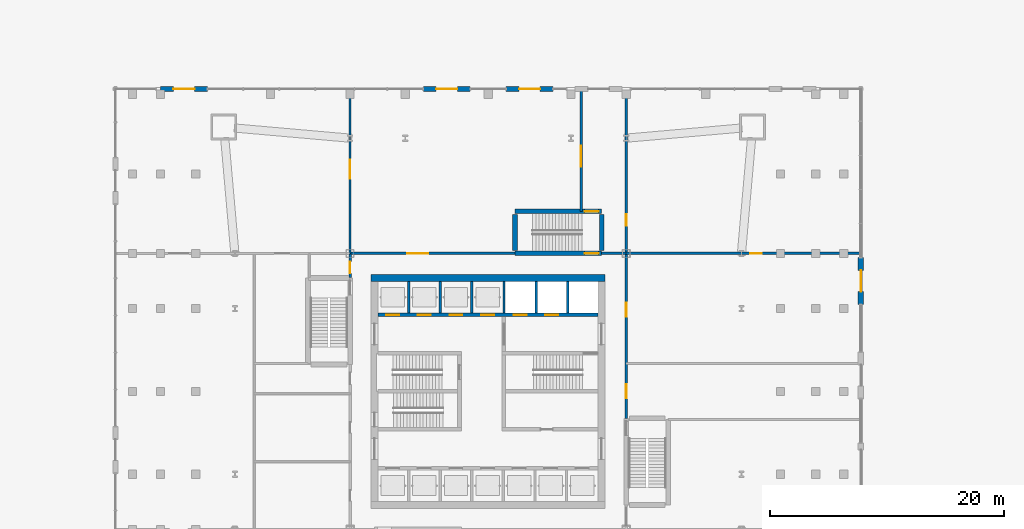
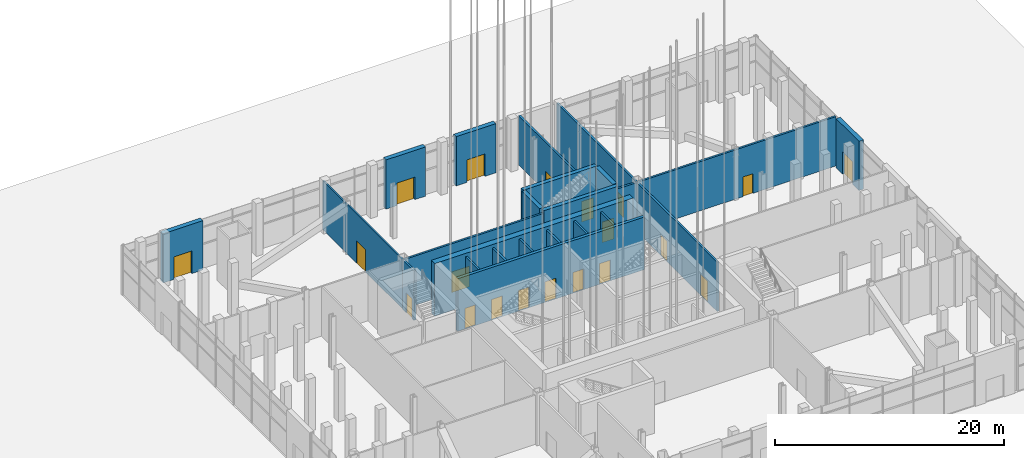
# One storey, part 14 of 27: 23 walls, 20 doors, 20 openings.
"""IFC4 building model written with IfcOpenShell, lengths in metres."""

from ifc_helpers import new_model, si_unit, direction, frame, frame_2d, origin, place, context, subcontext, project, spatial, rectangle, extrude, material, layer, layer_set, type_object, element, fill, save


model = new_model("IFC4")

# Units and contexts
model_context = context("Model", 3, precision=1e-05, world=origin(), true_north=direction((0.0, 1.0)))
body_context = subcontext(model_context, "Body", "Model", "MODEL_VIEW")
ifc_project = project(units=[si_unit("LENGTHUNIT", "METRE"), si_unit("AREAUNIT", "SQUARE_METRE"), si_unit("VOLUMEUNIT", "CUBIC_METRE"), si_unit("PLANEANGLEUNIT", "RADIAN"), si_unit("MASSUNIT", "GRAM", prefix="KILO")], contexts=[model_context])

# Site, building, storey
site_placement = place(None, origin())
site = spatial("IfcSite", under=ifc_project, at=site_placement, CompositionType="ELEMENT")
building_placement = place(site_placement, origin())
building = spatial("IfcBuilding", under=site, at=building_placement, Name="Turquesa Mirador Hotel Tower", CompositionType="ELEMENT")
storey_placement = place(building_placement, origin())
storey = spatial("IfcBuildingStorey", under=building, at=storey_placement, Name="L00", CompositionType="ELEMENT", Elevation=0.0)

# Wall, openings, doors
ifc_material_1 = material(Name="Concrete C50/60", Category="concrete")
ifc_layer_1 = layer(ifc_material_1, 0.300048828125)
ifc_layer_set_1 = layer_set([ifc_layer_1], Name="CORE INNER WALL 300")
wall_type_1 = type_object("IfcWallType", Name="CORE INNER WALL 300", PredefinedType="SHEAR", material=ifc_layer_set_1)
wall_1_placement = place(storey_placement, frame((45.60009765625, 51.550048828125, 0.0), z_axis=(0.0, 0.0, 1.0), x_axis=(1.0, 0.0, 0.0)))
wall_1 = element("IfcWall", 1, at=wall_1_placement, inside=storey, type_object=wall_type_1, Name="Core wall NL", PredefinedType="SHEAR", context=body_context, shape_type="SweptSolid", body=[
    extrude(rectangle(XDim=18.7998046875, YDim=0.300048828125, at=frame_2d((9.39990234375, 0.0))), origin(), (0.0, 0.0, 1.0), 5.60009765625),
])
opening_1_placement = place(wall_1_placement, frame((0.699951171875, 0.0, 0.0)))
opening_1 = element("IfcOpeningElement", 2, at=opening_1_placement, cuts=wall_1, Name="Opening LD", PredefinedType="OPENING", context=body_context, shape_type="SweptSolid", body=[
    extrude(rectangle(XDim=1.10009765625, YDim=2.199951171875, at=frame_2d((0.550048828125, 1.10009765625))), frame((0.0, 0.159912109375, 0.0), z_axis=(0.0, -1.0, 0.0), x_axis=(1.0, 0.0, 0.0)), (0.0, 0.0, 1.0), 0.320068359375),
])
opening_2_placement = place(wall_1_placement, frame((3.39990234375, 0.0, 0.0)))
opening_2 = element("IfcOpeningElement", 3, at=opening_2_placement, cuts=wall_1, Name="Opening LD", PredefinedType="OPENING", context=body_context, shape_type="SweptSolid", body=[
    extrude(rectangle(XDim=1.10009765625, YDim=2.199951171875, at=frame_2d((0.550048828125, 1.10009765625))), frame((0.0, 0.159912109375, 0.0), z_axis=(0.0, -1.0, 0.0), x_axis=(1.0, 0.0, 0.0)), (0.0, 0.0, 1.0), 0.320068359375),
])
opening_3_placement = place(wall_1_placement, frame((6.10009765625, 0.0, 0.0)))
opening_3 = element("IfcOpeningElement", 4, at=opening_3_placement, cuts=wall_1, Name="Opening LD", PredefinedType="OPENING", context=body_context, shape_type="SweptSolid", body=[
    extrude(rectangle(XDim=1.10009765625, YDim=2.199951171875, at=frame_2d((0.550048828125, 1.10009765625))), frame((0.0, 0.159912109375, 0.0), z_axis=(0.0, -1.0, 0.0), x_axis=(1.0, 0.0, 0.0)), (0.0, 0.0, 1.0), 0.320068359375),
])
opening_4_placement = place(wall_1_placement, frame((8.800048828125, 0.0, 0.0)))
opening_4 = element("IfcOpeningElement", 5, at=opening_4_placement, cuts=wall_1, Name="Opening LD", PredefinedType="OPENING", context=body_context, shape_type="SweptSolid", body=[
    extrude(rectangle(XDim=1.10009765625, YDim=2.199951171875, at=frame_2d((0.550048828125, 1.10009765625))), frame((0.0, 0.159912109375, 0.0), z_axis=(0.0, -1.0, 0.0), x_axis=(1.0, 0.0, 0.0)), (0.0, 0.0, 1.0), 0.320068359375),
])
opening_5_placement = place(wall_1_placement, frame((11.60009765625, 0.0, 0.0)))
opening_5 = element("IfcOpeningElement", 6, at=opening_5_placement, cuts=wall_1, Name="Opening LD", PredefinedType="OPENING", context=body_context, shape_type="SweptSolid", body=[
    extrude(rectangle(XDim=1.10009765625, YDim=2.199951171875, at=frame_2d((0.550048828125, 1.10009765625))), frame((0.0, 0.159912109375, 0.0), z_axis=(0.0, -1.0, 0.0), x_axis=(1.0, 0.0, 0.0)), (0.0, 0.0, 1.0), 0.320068359375),
])
opening_6_placement = place(wall_1_placement, frame((14.300048828125, 0.0, 0.0)))
opening_6 = element("IfcOpeningElement", 7, at=opening_6_placement, cuts=wall_1, Name="Opening LD", PredefinedType="OPENING", context=body_context, shape_type="SweptSolid", body=[
    extrude(rectangle(XDim=1.10009765625, YDim=2.199951171875, at=frame_2d((0.550048828125, 1.10009765625))), frame((0.0, 0.159912109375, 0.0), z_axis=(0.0, -1.0, 0.0), x_axis=(1.0, 0.0, 0.0)), (0.0, 0.0, 1.0), 0.320068359375),
])
ifc_material_2 = material(Name="Stainless steel lift landing door", Category="steel")
door_type_1 = type_object("IfcDoorType", Name="LIFT LANDING DOOR 1100X2200", OperationType="SLIDING_TO_LEFT", PredefinedType="DOOR", material=ifc_material_2)
door_1_placement = place(opening_1_placement, origin())
door_1 = element("IfcDoor", 8, at=door_1_placement, inside=storey, type_object=door_type_1, Name="Lift A1 landing door", OperationType="SLIDING_TO_LEFT", OverallHeight=2.199951171875, OverallWidth=1.10009765625, PredefinedType="DOOR", context=body_context, shape_type="SweptSolid", body=[
    extrude(rectangle(XDim=1.10009765625, YDim=2.199951171875, at=frame_2d((0.550048828125, 1.10009765625))), frame((0.0, 0.02490234375, 0.0), z_axis=(0.0, -1.0, 0.0), x_axis=(1.0, 0.0, 0.0)), (0.0, 0.0, 1.0), 0.050048828125),
])
fill(opening_1, door_1)
door_2_placement = place(opening_2_placement, origin())
door_2 = element("IfcDoor", 9, at=door_2_placement, inside=storey, type_object=door_type_1, Name="Lift A2 landing door", OperationType="SLIDING_TO_LEFT", OverallHeight=2.199951171875, OverallWidth=1.10009765625, PredefinedType="DOOR", context=body_context, shape_type="SweptSolid", body=[
    extrude(rectangle(XDim=1.10009765625, YDim=2.199951171875, at=frame_2d((0.550048828125, 1.10009765625))), frame((0.0, 0.02490234375, 0.0), z_axis=(0.0, -1.0, 0.0), x_axis=(1.0, 0.0, 0.0)), (0.0, 0.0, 1.0), 0.050048828125),
])
fill(opening_2, door_2)
door_3_placement = place(opening_3_placement, origin())
door_3 = element("IfcDoor", 10, at=door_3_placement, inside=storey, type_object=door_type_1, Name="Lift A3 landing door", OperationType="SLIDING_TO_LEFT", OverallHeight=2.199951171875, OverallWidth=1.10009765625, PredefinedType="DOOR", context=body_context, shape_type="SweptSolid", body=[
    extrude(rectangle(XDim=1.10009765625, YDim=2.199951171875, at=frame_2d((0.550048828125, 1.10009765625))), frame((0.0, 0.02490234375, 0.0), z_axis=(0.0, -1.0, 0.0), x_axis=(1.0, 0.0, 0.0)), (0.0, 0.0, 1.0), 0.050048828125),
])
fill(opening_3, door_3)
door_4_placement = place(opening_4_placement, origin())
door_4 = element("IfcDoor", 11, at=door_4_placement, inside=storey, type_object=door_type_1, Name="Lift A4 landing door", OperationType="SLIDING_TO_LEFT", OverallHeight=2.199951171875, OverallWidth=1.10009765625, PredefinedType="DOOR", context=body_context, shape_type="SweptSolid", body=[
    extrude(rectangle(XDim=1.10009765625, YDim=2.199951171875, at=frame_2d((0.550048828125, 1.10009765625))), frame((0.0, 0.02490234375, 0.0), z_axis=(0.0, -1.0, 0.0), x_axis=(1.0, 0.0, 0.0)), (0.0, 0.0, 1.0), 0.050048828125),
])
fill(opening_4, door_4)
door_5_placement = place(opening_5_placement, origin())
door_5 = element("IfcDoor", 12, at=door_5_placement, inside=storey, type_object=door_type_1, Name="Lift S1 landing door", OperationType="SLIDING_TO_LEFT", OverallHeight=2.199951171875, OverallWidth=1.10009765625, PredefinedType="DOOR", context=body_context, shape_type="SweptSolid", body=[
    extrude(rectangle(XDim=1.10009765625, YDim=2.199951171875, at=frame_2d((0.550048828125, 1.10009765625))), frame((0.0, 0.02490234375, 0.0), z_axis=(0.0, -1.0, 0.0), x_axis=(1.0, 0.0, 0.0)), (0.0, 0.0, 1.0), 0.050048828125),
])
fill(opening_5, door_5)
door_6_placement = place(opening_6_placement, origin())
door_6 = element("IfcDoor", 13, at=door_6_placement, inside=storey, type_object=door_type_1, Name="Lift S2 landing door", OperationType="SLIDING_TO_LEFT", OverallHeight=2.199951171875, OverallWidth=1.10009765625, PredefinedType="DOOR", context=body_context, shape_type="SweptSolid", body=[
    extrude(rectangle(XDim=1.10009765625, YDim=2.199951171875, at=frame_2d((0.550048828125, 1.10009765625))), frame((0.0, 0.02490234375, 0.0), z_axis=(0.0, -1.0, 0.0), x_axis=(1.0, 0.0, 0.0)), (0.0, 0.0, 1.0), 0.050048828125),
])
fill(opening_6, door_6)

# Wall
ifc_material_3 = material(Name="Concrete C50/60", Category="concrete")
ifc_layer_2 = layer(ifc_material_3, 0.60009765625)
ifc_layer_set_2 = layer_set([ifc_layer_2], Name="CORE WALL 600")
wall_type_2 = type_object("IfcWallType", Name="CORE WALL 600", PredefinedType="SHEAR", material=ifc_layer_set_2)
wall_2_placement = place(storey_placement, frame((45.0, 54.699951171875, 0.0), z_axis=(0.0, 0.0, 1.0), x_axis=(1.0, 0.0, 0.0)))
element("IfcWall", 14, at=wall_2_placement, inside=storey, type_object=wall_type_2, Name="Core wall N", PredefinedType="SHEAR", context=body_context, shape_type="SweptSolid", body=[
    extrude(rectangle(XDim=20.0, YDim=0.60009765625, at=frame_2d((10.0, 0.0))), origin(), (0.0, 0.0, 1.0), 5.60009765625),
])

# Wall, opening, door
ifc_material_4 = material(Name="Fire-rated gypsum board on steel studs", Category="steel")
ifc_layer_3 = layer(ifc_material_4, 0.199951171875)
ifc_layer_set_3 = layer_set([ifc_layer_3], Name="CORRIDOR WALL 200")
wall_type_3 = type_object("IfcWallType", Name="CORRIDOR WALL 200", PredefinedType="PARTITIONING", material=ifc_layer_set_3)
wall_3_placement = place(storey_placement, frame((43.199951171875, 56.800048828125, 0.0), z_axis=(0.0, 0.0, 1.0), x_axis=(1.0, 0.0, 0.0)))
wall_3 = element("IfcWall", 15, at=wall_3_placement, inside=storey, type_object=wall_type_3, Name="Partition L00 012", PredefinedType="PARTITIONING", context=body_context, shape_type="SweptSolid", body=[
    extrude(rectangle(XDim=14.10009765625, YDim=0.199951171875, at=frame_2d((7.050048828125, 0.0))), origin(), (0.0, 0.0, 1.0), 5.25),
])
opening_7_placement = place(wall_3_placement, frame((4.89990234375, 0.0, 0.0)))
opening_7 = element("IfcOpeningElement", 16, at=opening_7_placement, cuts=wall_3, Name="Opening D04", PredefinedType="OPENING", context=body_context, shape_type="SweptSolid", body=[
    extrude(rectangle(XDim=1.800048828125, YDim=2.199951171875, at=frame_2d((0.89990234375, 1.10009765625))), frame((0.0, 0.10986328125, 0.0), z_axis=(0.0, -1.0, 0.0), x_axis=(1.0, 0.0, 0.0)), (0.0, 0.0, 1.0), 0.219970703125),
])
ifc_material_5 = material(Name="Steel fire door pair", Category="steel")
door_type_2 = type_object("IfcDoorType", Name="DOOR 1800X2200 PAIR", OperationType="DOUBLE_DOOR_SINGLE_SWING", PredefinedType="DOOR", material=ifc_material_5)
door_7_placement = place(opening_7_placement, origin())
door_7 = element("IfcDoor", 17, at=door_7_placement, inside=storey, type_object=door_type_2, Name="Door L00-10", OperationType="DOUBLE_DOOR_SINGLE_SWING", OverallHeight=2.199951171875, OverallWidth=1.800048828125, PredefinedType="DOOR", context=body_context, shape_type="SweptSolid", body=[
    extrude(rectangle(XDim=1.800048828125, YDim=2.199951171875, at=frame_2d((0.89990234375, 1.10009765625))), frame((0.0, 0.02490234375, 0.0), z_axis=(0.0, -1.0, 0.0), x_axis=(1.0, 0.0, 0.0)), (0.0, 0.0, 1.0), 0.050048828125),
])
fill(opening_7, door_7)

# Wall
wall_4_placement = place(storey_placement, frame((64.699951171875, 56.800048828125, 0.0), z_axis=(0.0, 0.0, 1.0), x_axis=(1.0, 0.0, 0.0)))
element("IfcWall", 18, at=wall_4_placement, inside=storey, type_object=wall_type_3, Name="Partition L00 013", PredefinedType="PARTITIONING", context=body_context, shape_type="SweptSolid", body=[
    extrude(rectangle(XDim=2.10009765625, YDim=0.199951171875, at=frame_2d((1.050048828125, 0.0))), origin(), (0.0, 0.0, 1.0), 5.25),
])

# Wall, openings, doors
wall_5_placement = place(storey_placement, frame((66.800048828125, 42.699951171875, 0.0), z_axis=(0.0, 0.0, 1.0), x_axis=(0.0, 1.0, 0.0)))
wall_5 = element("IfcWall", 19, at=wall_5_placement, inside=storey, type_object=wall_type_3, Name="Partition L00 030", PredefinedType="PARTITIONING", context=body_context, shape_type="SweptSolid", body=[
    extrude(rectangle(XDim=28.0, YDim=0.199951171875, at=frame_2d((14.0, 0.0))), origin(), (0.0, 0.0, 1.0), 5.25),
])
opening_8_placement = place(wall_5_placement, frame((1.699951171875, 0.0, 0.0)))
opening_8 = element("IfcOpeningElement", 20, at=opening_8_placement, cuts=wall_5, Name="Opening D09", PredefinedType="OPENING", context=body_context, shape_type="SweptSolid", body=[
    extrude(rectangle(XDim=1.199951171875, YDim=2.199951171875, at=frame_2d((0.60009765625, 1.10009765625))), frame((0.0, 0.10986328125, 0.0), z_axis=(0.0, -1.0, 0.0), x_axis=(1.0, 0.0, 0.0)), (0.0, 0.0, 1.0), 0.219970703125),
])
opening_9_placement = place(wall_5_placement, frame((8.699951171875, 0.0, 0.0)))
opening_9 = element("IfcOpeningElement", 21, at=opening_9_placement, cuts=wall_5, Name="Opening D09", PredefinedType="OPENING", context=body_context, shape_type="SweptSolid", body=[
    extrude(rectangle(XDim=1.199951171875, YDim=2.199951171875, at=frame_2d((0.60009765625, 1.10009765625))), frame((0.0, 0.10986328125, 0.0), z_axis=(0.0, -1.0, 0.0), x_axis=(1.0, 0.0, 0.0)), (0.0, 0.0, 1.0), 0.219970703125),
])
opening_10_placement = place(wall_5_placement, frame((16.449951171875, 0.0, 0.0)))
opening_10 = element("IfcOpeningElement", 22, at=opening_10_placement, cuts=wall_5, Name="Opening D05", PredefinedType="OPENING", context=body_context, shape_type="SweptSolid", body=[
    extrude(rectangle(XDim=1.0, YDim=2.10009765625, at=frame_2d((0.5, 1.050048828125))), frame((0.0, 0.10986328125, 0.0), z_axis=(0.0, -1.0, 0.0), x_axis=(1.0, 0.0, 0.0)), (0.0, 0.0, 1.0), 0.219970703125),
])
ifc_material_6 = material(Name="Steel fire door", Category="steel")
door_type_3 = type_object("IfcDoorType", Name="DOOR 1000X2100 SERVICE", OperationType="SINGLE_SWING_LEFT", PredefinedType="DOOR", material=ifc_material_6)
door_8_placement = place(opening_10_placement, origin())
door_8 = element("IfcDoor", 23, at=door_8_placement, inside=storey, type_object=door_type_3, Name="Door L00-14", OperationType="SINGLE_SWING_LEFT", OverallHeight=2.10009765625, OverallWidth=1.0, PredefinedType="DOOR", context=body_context, shape_type="SweptSolid", body=[
    extrude(rectangle(XDim=1.0, YDim=2.10009765625, at=frame_2d((0.5, 1.050048828125))), frame((0.0, 0.02490234375, 0.0), z_axis=(0.0, -1.0, 0.0), x_axis=(1.0, 0.0, 0.0)), (0.0, 0.0, 1.0), 0.050048828125),
])
fill(opening_10, door_8)
ifc_material_7 = material(Name="Timber door", Category="wood")
door_type_4 = type_object("IfcDoorType", Name="DOOR 1200X2200 OFFICE", OperationType="SINGLE_SWING_LEFT", PredefinedType="DOOR", material=ifc_material_7)
door_9_placement = place(opening_8_placement, origin())
door_9 = element("IfcDoor", 24, at=door_9_placement, inside=storey, type_object=door_type_4, Name="Door L00-12", OperationType="SINGLE_SWING_LEFT", OverallHeight=2.199951171875, OverallWidth=1.199951171875, PredefinedType="DOOR", context=body_context, shape_type="SweptSolid", body=[
    extrude(rectangle(XDim=1.199951171875, YDim=2.199951171875, at=frame_2d((0.60009765625, 1.10009765625))), frame((0.0, 0.02490234375, 0.0), z_axis=(0.0, -1.0, 0.0), x_axis=(1.0, 0.0, 0.0)), (0.0, 0.0, 1.0), 0.050048828125),
])
fill(opening_8, door_9)
door_10_placement = place(opening_9_placement, origin())
door_10 = element("IfcDoor", 25, at=door_10_placement, inside=storey, type_object=door_type_4, Name="Door L00-13", OperationType="SINGLE_SWING_LEFT", OverallHeight=2.199951171875, OverallWidth=1.199951171875, PredefinedType="DOOR", context=body_context, shape_type="SweptSolid", body=[
    extrude(rectangle(XDim=1.199951171875, YDim=2.199951171875, at=frame_2d((0.60009765625, 1.10009765625))), frame((0.0, 0.02490234375, 0.0), z_axis=(0.0, -1.0, 0.0), x_axis=(1.0, 0.0, 0.0)), (0.0, 0.0, 1.0), 0.050048828125),
])
fill(opening_9, door_10)

# Wall, opening, door
wall_6_placement = place(storey_placement, frame((62.949951171875, 60.39990234375, 0.0), z_axis=(0.0, 0.0, 1.0), x_axis=(0.0, 1.0, 0.0)))
wall_6 = element("IfcWall", 26, at=wall_6_placement, inside=storey, type_object=wall_type_3, Name="Partition L00 035", PredefinedType="PARTITIONING", context=body_context, shape_type="SweptSolid", body=[
    extrude(rectangle(XDim=10.300048828125, YDim=0.199951171875, at=frame_2d((5.14990234375, 0.0))), origin(), (0.0, 0.0, 1.0), 5.25),
])
opening_11_placement = place(wall_6_placement, frame((3.800048828125, 0.0, 0.0)))
opening_11 = element("IfcOpeningElement", 27, at=opening_11_placement, cuts=wall_6, Name="Opening D04", PredefinedType="OPENING", context=body_context, shape_type="SweptSolid", body=[
    extrude(rectangle(XDim=1.800048828125, YDim=2.199951171875, at=frame_2d((0.89990234375, 1.10009765625))), frame((0.0, 0.10986328125, 0.0), z_axis=(0.0, -1.0, 0.0), x_axis=(1.0, 0.0, 0.0)), (0.0, 0.0, 1.0), 0.219970703125),
])
door_11_placement = place(opening_11_placement, origin())
door_11 = element("IfcDoor", 28, at=door_11_placement, inside=storey, type_object=door_type_2, Name="Door L00-17", OperationType="DOUBLE_DOOR_SINGLE_SWING", OverallHeight=2.199951171875, OverallWidth=1.800048828125, PredefinedType="DOOR", context=body_context, shape_type="SweptSolid", body=[
    extrude(rectangle(XDim=1.800048828125, YDim=2.199951171875, at=frame_2d((0.89990234375, 1.10009765625))), frame((0.0, 0.02490234375, 0.0), z_axis=(0.0, -1.0, 0.0), x_axis=(1.0, 0.0, 0.0)), (0.0, 0.0, 1.0), 0.050048828125),
])
fill(opening_11, door_11)

wall_7_placement = place(storey_placement, frame((43.199951171875, 56.739990234375, 0.0), z_axis=(0.0, 0.0, 1.0), x_axis=(0.0, -1.0, 0.0)))
wall_7 = element("IfcWall", 29, at=wall_7_placement, inside=storey, type_object=wall_type_3, Name="Partition L00 038", PredefinedType="PARTITIONING", context=body_context, shape_type="SweptSolid", body=[
    extrude(rectangle(XDim=1.97998046875, YDim=0.199951171875, at=frame_2d((0.989990234375, 0.0))), origin(), (0.0, 0.0, 1.0), 5.25),
])
opening_12_placement = place(wall_7_placement, frame((0.639892578125, 0.0, 0.0)))
opening_12 = element("IfcOpeningElement", 30, at=opening_12_placement, cuts=wall_7, Name="Opening D05", PredefinedType="OPENING", context=body_context, shape_type="SweptSolid", body=[
    extrude(rectangle(XDim=1.0, YDim=2.10009765625, at=frame_2d((0.5, 1.050048828125))), frame((0.0, 0.10986328125, 0.0), z_axis=(0.0, -1.0, 0.0), x_axis=(1.0, 0.0, 0.0)), (0.0, 0.0, 1.0), 0.219970703125),
])
door_12_placement = place(opening_12_placement, origin())
door_12 = element("IfcDoor", 31, at=door_12_placement, inside=storey, type_object=door_type_3, Name="Door L00-15", OperationType="SINGLE_SWING_LEFT", OverallHeight=2.10009765625, OverallWidth=1.0, PredefinedType="DOOR", context=body_context, shape_type="SweptSolid", body=[
    extrude(rectangle(XDim=1.0, YDim=2.10009765625, at=frame_2d((0.5, 1.050048828125))), frame((0.0, 0.02490234375, 0.0), z_axis=(0.0, -1.0, 0.0), x_axis=(1.0, 0.0, 0.0)), (0.0, 0.0, 1.0), 0.050048828125),
])
fill(opening_12, door_12)

ifc_material_8 = material(Name="Fire-rated gypsum board on steel studs", Category="steel")
ifc_layer_4 = layer(ifc_material_8, 0.199951171875)
ifc_layer_set_4 = layer_set([ifc_layer_4], Name="FIRE PARTITION 200")
wall_type_4 = type_object("IfcWallType", Name="FIRE PARTITION 200", PredefinedType="PARTITIONING", material=ifc_layer_set_4)
wall_8_placement = place(storey_placement, frame((66.800048828125, 56.800048828125, 0.0), z_axis=(0.0, 0.0, 1.0), x_axis=(1.0, 0.0, 0.0)))
wall_8 = element("IfcWall", 32, at=wall_8_placement, inside=storey, type_object=wall_type_4, Name="Partition L00 014", PredefinedType="PARTITIONING", context=body_context, shape_type="SweptSolid", body=[
    extrude(rectangle(XDim=19.945068359375, YDim=0.199951171875, at=frame_2d((9.97265625, 0.0))), origin(), (0.0, 0.0, 1.0), 5.25),
])
opening_13_placement = place(wall_8_placement, frame((10.60009765625, 0.0, 0.0)))
opening_13 = element("IfcOpeningElement", 33, at=opening_13_placement, cuts=wall_8, Name="Opening D05", PredefinedType="OPENING", context=body_context, shape_type="SweptSolid", body=[
    extrude(rectangle(XDim=1.0, YDim=2.10009765625, at=frame_2d((0.5, 1.050048828125))), frame((0.0, 0.10986328125, 0.0), z_axis=(0.0, -1.0, 0.0), x_axis=(1.0, 0.0, 0.0)), (0.0, 0.0, 1.0), 0.219970703125),
])
door_13_placement = place(opening_13_placement, origin())
door_13 = element("IfcDoor", 34, at=door_13_placement, inside=storey, type_object=door_type_3, Name="Door L00-14-1", OperationType="SINGLE_SWING_LEFT", OverallHeight=2.10009765625, OverallWidth=1.0, PredefinedType="DOOR", context=body_context, shape_type="SweptSolid", body=[
    extrude(rectangle(XDim=1.0, YDim=2.10009765625, at=frame_2d((0.5, 1.050048828125))), frame((0.0, 0.02490234375, 0.0), z_axis=(0.0, -1.0, 0.0), x_axis=(1.0, 0.0, 0.0)), (0.0, 0.0, 1.0), 0.050048828125),
])
fill(opening_13, door_13)

# Walls
ifc_material_9 = material(Name="Fire-rated gypsum shaft wall on steel studs", Category="steel")
ifc_layer_5 = layer(ifc_material_9, 0.199951171875)
ifc_layer_set_5 = layer_set([ifc_layer_5], Name="LIFT SHAFT DIVIDER 200")
wall_type_5 = type_object("IfcWallType", Name="LIFT SHAFT DIVIDER 200", PredefinedType="PARTITIONING", material=ifc_layer_set_5)
for number, where, z_axis, x_axis, name in (
    (35, (48.199951171875, 51.699951171875, 0.0), (0.0, 0.0, 1.0), (0.0, 1.0, 0.0), "Lift shaft divider"),
    (36, (50.89990234375, 51.699951171875, 0.0), (0.0, 0.0, 1.0), (0.0, 1.0, 0.0), "Lift shaft divider"),
    (37, (53.60009765625, 51.699951171875, 0.0), (0.0, 0.0, 1.0), (0.0, 1.0, 0.0), "Lift shaft divider"),
    (38, (59.10009765625, 51.699951171875, 0.0), (0.0, 0.0, 1.0), (0.0, 1.0, 0.0), "Lift shaft divider"),
    (39, (61.800048828125, 51.699951171875, 0.0), (0.0, 0.0, 1.0), (0.0, 1.0, 0.0), "Lift shaft divider"),
    (40, (56.35009765625, 51.699951171875, 0.0), (0.0, 0.0, 1.0), (0.0, 1.0, 0.0), "Lift shaft divider"),
):
    element("IfcWall", number, at=place(storey_placement, frame(where, z_axis=z_axis, x_axis=x_axis)), inside=storey, type_object=wall_type_5, Name=name, PredefinedType="PARTITIONING", context=body_context, shape_type="SweptSolid", body=[
        extrude(rectangle(XDim=2.699951171875, YDim=0.199951171875, at=frame_2d((1.35009765625, 0.0))), origin(), (0.0, 0.0, 1.0), 5.25),
    ])

# Wall, opening, door
ifc_material_10 = material(Name="Gypsum board on steel studs", Category="steel")
ifc_layer_6 = layer(ifc_material_10, 0.14990234375)
ifc_layer_set_6 = layer_set([ifc_layer_6], Name="PARTITION 150")
wall_type_6 = type_object("IfcWallType", Name="PARTITION 150", PredefinedType="PARTITIONING", material=ifc_layer_set_6)
wall_9_placement = place(storey_placement, frame((43.199951171875, 56.800048828125, 0.0), z_axis=(0.0, 0.0, 1.0), x_axis=(0.0, 1.0, 0.0)))
wall_9 = element("IfcWall", 41, at=wall_9_placement, inside=storey, type_object=wall_type_6, Name="Partition L00 022", PredefinedType="PARTITIONING", context=body_context, shape_type="SweptSolid", body=[
    extrude(rectangle(XDim=13.89990234375, YDim=0.14990234375, at=frame_2d((6.949951171875, 0.0))), origin(), (0.0, 0.0, 1.0), 5.25),
])
opening_14_placement = place(wall_9_placement, frame((6.39990234375, 0.0, 0.0)))
opening_14 = element("IfcOpeningElement", 42, at=opening_14_placement, cuts=wall_9, Name="Opening D08", PredefinedType="OPENING", context=body_context, shape_type="SweptSolid", body=[
    extrude(rectangle(XDim=1.60009765625, YDim=2.39990234375, at=frame_2d((0.800048828125, 1.199951171875))), frame((0.0, 0.0849609375, 0.0), z_axis=(0.0, -1.0, 0.0), x_axis=(1.0, 0.0, 0.0)), (0.0, 0.0, 1.0), 0.169921875),
])
ifc_material_11 = material(Name="Aluminium glazed door pair", Category="aluminium")
door_type_5 = type_object("IfcDoorType", Name="DOOR 1600X2400 GLAZED PAIR", OperationType="DOUBLE_DOOR_SINGLE_SWING", PredefinedType="DOOR", material=ifc_material_11)
door_14_placement = place(opening_14_placement, origin())
door_14 = element("IfcDoor", 43, at=door_14_placement, inside=storey, type_object=door_type_5, Name="Door L00-09", OperationType="DOUBLE_DOOR_SINGLE_SWING", OverallHeight=2.39990234375, OverallWidth=1.60009765625, PredefinedType="DOOR", context=body_context, shape_type="SweptSolid", body=[
    extrude(rectangle(XDim=1.60009765625, YDim=2.39990234375, at=frame_2d((0.800048828125, 1.199951171875))), frame((0.0, 0.02490234375, 0.0), z_axis=(0.0, -1.0, 0.0), x_axis=(1.0, 0.0, 0.0)), (0.0, 0.0, 1.0), 0.050048828125),
])
fill(opening_14, door_14)

ifc_material_12 = material(Name="Limestone cladding on concrete block", Category="masonry")
ifc_layer_7 = layer(ifc_material_12, 0.449951171875)
ifc_layer_set_7 = layer_set([ifc_layer_7], Name="PORTAL WALL 450 STONE")
wall_type_7 = type_object("IfcWallType", Name="PORTAL WALL 450 STONE", PredefinedType="SOLIDWALL", material=ifc_layer_set_7)
wall_10_placement = place(storey_placement, frame((86.85009765625, 52.43994140625, 0.0), z_axis=(0.0, 0.0, 1.0), x_axis=(0.0, 1.0, 0.0)))
wall_10 = element("IfcWall", 44, at=wall_10_placement, inside=storey, type_object=wall_type_7, Name="Entrance portal L00", PredefinedType="SOLIDWALL", context=body_context, shape_type="SweptSolid", body=[
    extrude(rectangle(XDim=4.0, YDim=0.449951171875, at=frame_2d((2.0, 0.0))), origin(), (0.0, 0.0, 1.0), 5.25),
])
opening_15_placement = place(wall_10_placement, frame((1.10009765625, 0.0, 0.0)))
opening_15 = element("IfcOpeningElement", 45, at=opening_15_placement, cuts=wall_10, Name="Opening D13", PredefinedType="OPENING", context=body_context, shape_type="SweptSolid", body=[
    extrude(rectangle(XDim=1.800048828125, YDim=2.39990234375, at=frame_2d((0.89990234375, 1.199951171875))), frame((0.0, 0.23486328125, 0.0), z_axis=(0.0, -1.0, 0.0), x_axis=(1.0, 0.0, 0.0)), (0.0, 0.0, 1.0), 0.469970703125),
])
ifc_material_13 = material(Name="Steel external door pair", Category="steel")
door_type_6 = type_object("IfcDoorType", Name="EXIT DOOR 1800X2400 PAIR", OperationType="DOUBLE_DOOR_SINGLE_SWING", PredefinedType="DOOR", material=ifc_material_13)
door_15_placement = place(opening_15_placement, origin())
door_15 = element("IfcDoor", 46, at=door_15_placement, inside=storey, type_object=door_type_6, Name="External door L00 E", OperationType="DOUBLE_DOOR_SINGLE_SWING", OverallHeight=2.39990234375, OverallWidth=1.800048828125, PredefinedType="DOOR", context=body_context, shape_type="SweptSolid", body=[
    extrude(rectangle(XDim=1.800048828125, YDim=2.39990234375, at=frame_2d((0.89990234375, 1.199951171875))), frame((0.0, 0.02490234375, 0.0), z_axis=(0.0, -1.0, 0.0), x_axis=(1.0, 0.0, 0.0)), (0.0, 0.0, 1.0), 0.050048828125),
])
fill(opening_15, door_15)

wall_11_placement = place(storey_placement, frame((60.5400390625, 70.85009765625, 0.0), z_axis=(0.0, 0.0, 1.0), x_axis=(-1.0, 0.0, 0.0)))
wall_11 = element("IfcWall", 47, at=wall_11_placement, inside=storey, type_object=wall_type_7, Name="Entrance portal L00", PredefinedType="SOLIDWALL", context=body_context, shape_type="SweptSolid", body=[
    extrude(rectangle(XDim=4.0, YDim=0.449951171875, at=frame_2d((2.0, 0.0))), origin(), (0.0, 0.0, 1.0), 5.25),
])
opening_16_placement = place(wall_11_placement, frame((1.10009765625, 0.0, 0.0)))
opening_16 = element("IfcOpeningElement", 48, at=opening_16_placement, cuts=wall_11, Name="Opening D13", PredefinedType="OPENING", context=body_context, shape_type="SweptSolid", body=[
    extrude(rectangle(XDim=1.800048828125, YDim=2.39990234375, at=frame_2d((0.89990234375, 1.199951171875))), frame((0.0, 0.23486328125, 0.0), z_axis=(0.0, -1.0, 0.0), x_axis=(1.0, 0.0, 0.0)), (0.0, 0.0, 1.0), 0.469970703125),
])
door_16_placement = place(opening_16_placement, origin())
door_16 = element("IfcDoor", 49, at=door_16_placement, inside=storey, type_object=door_type_6, Name="External door L00 N", OperationType="DOUBLE_DOOR_SINGLE_SWING", OverallHeight=2.39990234375, OverallWidth=1.800048828125, PredefinedType="DOOR", context=body_context, shape_type="SweptSolid", body=[
    extrude(rectangle(XDim=1.800048828125, YDim=2.39990234375, at=frame_2d((0.89990234375, 1.199951171875))), frame((0.0, 0.02490234375, 0.0), z_axis=(0.0, -1.0, 0.0), x_axis=(1.0, 0.0, 0.0)), (0.0, 0.0, 1.0), 0.050048828125),
])
fill(opening_16, door_16)

wall_12_placement = place(storey_placement, frame((53.4599609375, 70.85009765625, 0.0), z_axis=(0.0, 0.0, 1.0), x_axis=(-1.0, 0.0, 0.0)))
wall_12 = element("IfcWall", 50, at=wall_12_placement, inside=storey, type_object=wall_type_7, Name="Entrance portal L00", PredefinedType="SOLIDWALL", context=body_context, shape_type="SweptSolid", body=[
    extrude(rectangle(XDim=4.0, YDim=0.449951171875, at=frame_2d((2.0, 0.0))), origin(), (0.0, 0.0, 1.0), 5.25),
])
opening_17_placement = place(wall_12_placement, frame((1.10009765625, 0.0, 0.0)))
opening_17 = element("IfcOpeningElement", 51, at=opening_17_placement, cuts=wall_12, Name="Opening D13", PredefinedType="OPENING", context=body_context, shape_type="SweptSolid", body=[
    extrude(rectangle(XDim=1.800048828125, YDim=2.39990234375, at=frame_2d((0.89990234375, 1.199951171875))), frame((0.0, 0.23486328125, 0.0), z_axis=(0.0, -1.0, 0.0), x_axis=(1.0, 0.0, 0.0)), (0.0, 0.0, 1.0), 0.469970703125),
])
door_17_placement = place(opening_17_placement, origin())
door_17 = element("IfcDoor", 52, at=door_17_placement, inside=storey, type_object=door_type_6, Name="External door L00 N", OperationType="DOUBLE_DOOR_SINGLE_SWING", OverallHeight=2.39990234375, OverallWidth=1.800048828125, PredefinedType="DOOR", context=body_context, shape_type="SweptSolid", body=[
    extrude(rectangle(XDim=1.800048828125, YDim=2.39990234375, at=frame_2d((0.89990234375, 1.199951171875))), frame((0.0, 0.02490234375, 0.0), z_axis=(0.0, -1.0, 0.0), x_axis=(1.0, 0.0, 0.0)), (0.0, 0.0, 1.0), 0.050048828125),
])
fill(opening_17, door_17)

wall_13_placement = place(storey_placement, frame((31.0, 70.85009765625, 0.0), z_axis=(0.0, 0.0, 1.0), x_axis=(-1.0, 0.0, 0.0)))
wall_13 = element("IfcWall", 53, at=wall_13_placement, inside=storey, type_object=wall_type_7, Name="Entrance portal L00", PredefinedType="SOLIDWALL", context=body_context, shape_type="SweptSolid", body=[
    extrude(rectangle(XDim=4.0, YDim=0.449951171875, at=frame_2d((2.0, 0.0))), origin(), (0.0, 0.0, 1.0), 5.25),
])
opening_18_placement = place(wall_13_placement, frame((1.10009765625, 0.0, 0.0)))
opening_18 = element("IfcOpeningElement", 54, at=opening_18_placement, cuts=wall_13, Name="Opening D13", PredefinedType="OPENING", context=body_context, shape_type="SweptSolid", body=[
    extrude(rectangle(XDim=1.800048828125, YDim=2.39990234375, at=frame_2d((0.89990234375, 1.199951171875))), frame((0.0, 0.23486328125, 0.0), z_axis=(0.0, -1.0, 0.0), x_axis=(1.0, 0.0, 0.0)), (0.0, 0.0, 1.0), 0.469970703125),
])
door_18_placement = place(opening_18_placement, origin())
door_18 = element("IfcDoor", 55, at=door_18_placement, inside=storey, type_object=door_type_6, Name="External door L00 N", OperationType="DOUBLE_DOOR_SINGLE_SWING", OverallHeight=2.39990234375, OverallWidth=1.800048828125, PredefinedType="DOOR", context=body_context, shape_type="SweptSolid", body=[
    extrude(rectangle(XDim=1.800048828125, YDim=2.39990234375, at=frame_2d((0.89990234375, 1.199951171875))), frame((0.0, 0.02490234375, 0.0), z_axis=(0.0, -1.0, 0.0), x_axis=(1.0, 0.0, 0.0)), (0.0, 0.0, 1.0), 0.050048828125),
])
fill(opening_18, door_18)

ifc_material_14 = material(Name="Concrete C50/60", Category="concrete")
ifc_layer_8 = layer(ifc_material_14, 0.39990234375)
ifc_layer_set_8 = layer_set([ifc_layer_8], Name="STAIR WALL 400")
wall_type_8 = type_object("IfcWallType", Name="STAIR WALL 400", PredefinedType="SHEAR", material=ifc_layer_set_8)
wall_14_placement = place(storey_placement, frame((57.300048828125, 56.800048828125, 0.0), z_axis=(0.0, 0.0, 1.0), x_axis=(1.0, 0.0, 0.0)))
wall_14 = element("IfcWall", 56, at=wall_14_placement, inside=storey, type_object=wall_type_8, Name="Stair wall L00 016", PredefinedType="SHEAR", context=body_context, shape_type="SweptSolid", body=[
    extrude(rectangle(XDim=7.39990234375, YDim=0.39990234375, at=frame_2d((3.699951171875, 0.0))), origin(), (0.0, 0.0, 1.0), 5.60009765625),
])
opening_19_placement = place(wall_14_placement, frame((5.949951171875, 0.0, 0.0)))
opening_19 = element("IfcOpeningElement", 57, at=opening_19_placement, cuts=wall_14, Name="Opening D03", PredefinedType="OPENING", context=body_context, shape_type="SweptSolid", body=[
    extrude(rectangle(XDim=1.199951171875, YDim=2.199951171875, at=frame_2d((0.60009765625, 1.10009765625))), frame((0.0, 0.2099609375, 0.0), z_axis=(0.0, -1.0, 0.0), x_axis=(1.0, 0.0, 0.0)), (0.0, 0.0, 1.0), 0.419921875),
])
ifc_material_15 = material(Name="Steel fire door", Category="steel")
door_type_7 = type_object("IfcDoorType", Name="DOOR 1200X2200 STAIR", OperationType="SINGLE_SWING_LEFT", PredefinedType="DOOR", material=ifc_material_15)
door_19_placement = place(opening_19_placement, origin())
door_19 = element("IfcDoor", 58, at=door_19_placement, inside=storey, type_object=door_type_7, Name="Door L00-PS1", OperationType="SINGLE_SWING_LEFT", OverallHeight=2.199951171875, OverallWidth=1.199951171875, PredefinedType="DOOR", context=body_context, shape_type="SweptSolid", body=[
    extrude(rectangle(XDim=1.199951171875, YDim=2.199951171875, at=frame_2d((0.60009765625, 1.10009765625))), frame((0.0, 0.02490234375, 0.0), z_axis=(0.0, -1.0, 0.0), x_axis=(1.0, 0.0, 0.0)), (0.0, 0.0, 1.0), 0.050048828125),
])
fill(opening_19, door_19)

wall_15_placement = place(storey_placement, frame((57.300048828125, 60.39990234375, 0.0), z_axis=(0.0, 0.0, 1.0), x_axis=(1.0, 0.0, 0.0)))
wall_15 = element("IfcWall", 59, at=wall_15_placement, inside=storey, type_object=wall_type_8, Name="Stair wall L00 017", PredefinedType="SHEAR", context=body_context, shape_type="SweptSolid", body=[
    extrude(rectangle(XDim=7.39990234375, YDim=0.39990234375, at=frame_2d((3.699951171875, 0.0))), origin(), (0.0, 0.0, 1.0), 5.60009765625),
])
opening_20_placement = place(wall_15_placement, frame((5.949951171875, 0.0, 0.0)))
opening_20 = element("IfcOpeningElement", 60, at=opening_20_placement, cuts=wall_15, Name="Opening D03", PredefinedType="OPENING", context=body_context, shape_type="SweptSolid", body=[
    extrude(rectangle(XDim=1.199951171875, YDim=2.199951171875, at=frame_2d((0.60009765625, 1.10009765625))), frame((0.0, 0.2099609375, 0.0), z_axis=(0.0, -1.0, 0.0), x_axis=(1.0, 0.0, 0.0)), (0.0, 0.0, 1.0), 0.419921875),
])
door_20_placement = place(opening_20_placement, origin())
door_20 = element("IfcDoor", 61, at=door_20_placement, inside=storey, type_object=door_type_7, Name="Door L00-PS1-1", OperationType="SINGLE_SWING_LEFT", OverallHeight=2.199951171875, OverallWidth=1.199951171875, PredefinedType="DOOR", context=body_context, shape_type="SweptSolid", body=[
    extrude(rectangle(XDim=1.199951171875, YDim=2.199951171875, at=frame_2d((0.60009765625, 1.10009765625))), frame((0.0, 0.02490234375, 0.0), z_axis=(0.0, -1.0, 0.0), x_axis=(1.0, 0.0, 0.0)), (0.0, 0.0, 1.0), 0.050048828125),
])
fill(opening_20, door_20)

# Walls
for number, where, z_axis, x_axis, name in (
    (62, (57.300048828125, 57.070068359375, 0.0), (0.0, 0.0, 1.0), (0.0, 1.0, 0.0), "Stair wall L00 034"),
    (63, (64.699951171875, 57.070068359375, 0.0), (0.0, 0.0, 1.0), (0.0, 1.0, 0.0), "Stair wall L00 036"),
):
    element("IfcWall", number, at=place(storey_placement, frame(where, z_axis=z_axis, x_axis=x_axis)), inside=storey, type_object=wall_type_8, Name=name, PredefinedType="SHEAR", context=body_context, shape_type="SweptSolid", body=[
        extrude(rectangle(XDim=3.059814453125, YDim=0.39990234375, at=frame_2d((1.52978515625, 0.0))), origin(), (0.0, 0.0, 1.0), 5.60009765625),
    ])

save(model, "model.ifc")
